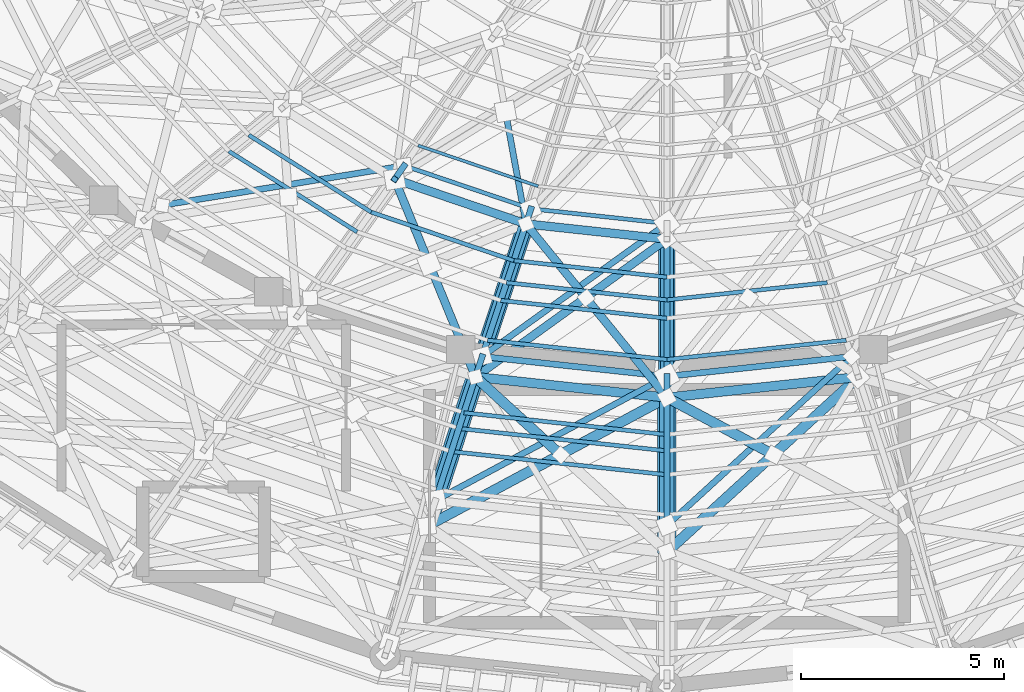
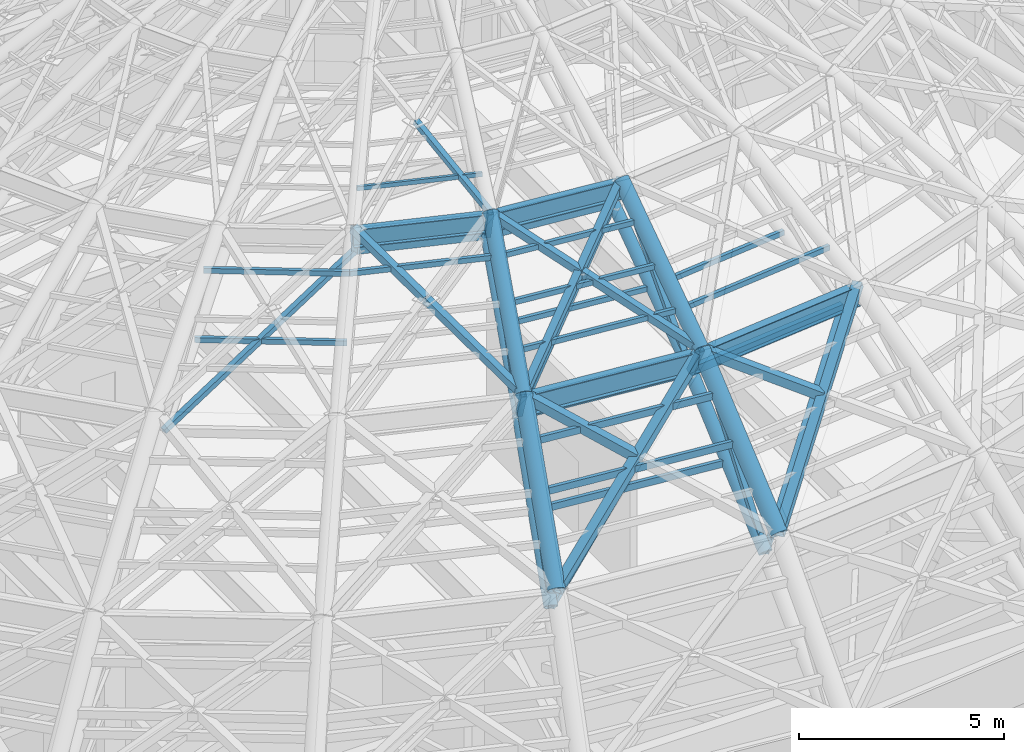
# One storey, part 4 of 50: 47 members, 4 beams.
"""IFC4 building model written with IfcOpenShell, lengths in metres."""

from ifc_helpers import new_model, si_unit, direction, frame, origin, origin_2d, place, context, subcontext, project, spatial, hollow_rectangle, hollow_circle, i_section, extrude, material, material_profile, profile_set, type_object, element, save


model = new_model("IFC4")

# Units and contexts
model_context = context("Model", 3, precision=1e-05, world=origin(), true_north=direction((0.0, 1.0)))
body_context = subcontext(model_context, "Body", "Model", "MODEL_VIEW")
ifc_project = project(units=[si_unit("LENGTHUNIT", "METRE"), si_unit("AREAUNIT", "SQUARE_METRE"), si_unit("VOLUMEUNIT", "CUBIC_METRE"), si_unit("PLANEANGLEUNIT", "RADIAN"), si_unit("MASSUNIT", "GRAM", prefix="KILO")], contexts=[model_context])

# Site, building, storey
site_placement = place(None, origin())
site = spatial("IfcSite", under=ifc_project, at=site_placement, CompositionType="ELEMENT")
building_placement = place(site_placement, origin())
building = spatial("IfcBuilding", under=site, at=building_placement, Name="Cinderbank Siding Concert Hall", CompositionType="ELEMENT")
storey_placement = place(building_placement, frame((0.0, 0.0, 23.699951171875)))
storey = spatial("IfcBuildingStorey", under=building, at=storey_placement, Name="L06", CompositionType="ELEMENT", Elevation=23.699951171875)

# Beams
ifc_material_1 = material(Name="Structural steel AS/NZS 3679.1 Grade 350 (340 MPa)", Category="steel")
ifc_material_profile_1 = material_profile(ifc_material_1, i_section(OverallWidth=0.208984375, OverallDepth=0.532958984375, WebThickness=0.01025390625, FlangeThickness=0.015625, at=origin_2d()), Name="530UB92.4", Category="LoadBearing")
ifc_profile_set_1 = profile_set([ifc_material_profile_1], Name="Structural steel AS/NZS 3679.1 Grade 350 (340 MPa)")
beam_type_1 = type_object("IfcBeamType", Name="BM-UB530H 530UB92.4", PredefinedType="BEAM", material=ifc_profile_set_1)
beam_1_placement = place(storey_placement, frame((115.300048828125, 34.4736328125, 13.733642578125), z_axis=(0.946763589156, -0.321929660406, 0.0), x_axis=(0.321929660406, 0.946763589156, 0.0)))
element("IfcBeam", 1, at=beam_1_placement, inside=storey, type_object=beam_type_1, Name="L06 Beam BM-UB530H #2086", PredefinedType="BEAM", context=body_context, shape_type="SweptSolid", body=[
    extrude(i_section(OverallWidth=0.208984375, OverallDepth=0.532958984375, WebThickness=0.01025390625, FlangeThickness=0.015625, at=origin_2d()), origin(), (0.0, 0.0, 1.0), 3.413330078125),
])
beam_2_placement = place(storey_placement, frame((118.53173828125, 33.374755859375, 13.733642578125), z_axis=(0.994212907682, -0.107427623067, 0.0), x_axis=(0.107427623067, 0.994212907682, 0.0)))
element("IfcBeam", 2, at=beam_2_placement, inside=storey, type_object=beam_type_1, Name="L06 Beam BM-UB530H #2087", PredefinedType="BEAM", context=body_context, shape_type="SweptSolid", body=[
    extrude(i_section(OverallWidth=0.208984375, OverallDepth=0.532958984375, WebThickness=0.01025390625, FlangeThickness=0.015625, at=origin_2d()), origin(), (0.0, 0.0, 1.0), 3.488525390625),
])
ifc_material_profile_2 = material_profile(ifc_material_1, i_section(OverallWidth=0.22900390625, OverallDepth=0.611572265625, WebThickness=0.011962890625, FlangeThickness=0.01953125, at=origin_2d()), Name="610UB125", Category="LoadBearing")
ifc_profile_set_2 = profile_set([ifc_material_profile_2], Name="Structural steel AS/NZS 3679.1 Grade 350 (340 MPa)")
beam_type_2 = type_object("IfcBeamType", Name="BM-UB610H 610UB125", PredefinedType="BEAM", material=ifc_profile_set_2)
for number, where, z_axis, x_axis, name in (
    (3, (117.28955078125, 29.607666015625, 10.994140625), (0.994244639744, -0.107133544419, 0.0), (0.107133544419, 0.994244639744, 0.0), "L06 Beam BM-UB610H #2067"),
    (4, (122.0, 29.10009765625, 10.994140625), (0.994244639744, 0.107133544419, 0.0), (-0.107133544419, 0.994244639744, 0.0), "L06 Beam BM-UB610H #2068"),
):
    element("IfcBeam", number, at=place(storey_placement, frame(where, z_axis=z_axis, x_axis=x_axis)), inside=storey, type_object=beam_type_2, Name=name, PredefinedType="BEAM", context=body_context, shape_type="SweptSolid", body=[
        extrude(i_section(OverallWidth=0.22900390625, OverallDepth=0.611572265625, WebThickness=0.011962890625, FlangeThickness=0.01953125, at=origin_2d()), origin(), (0.0, 0.0, 1.0), 4.73779296875),
    ])

# Members
ifc_material_2 = material(Name="Structural steel hollow section AS/NZS 1163 Grade C350L0 (350 MPa)", Category="steel")
ifc_material_profile_3 = material_profile(ifc_material_2, hollow_rectangle(XDim=0.14990234375, YDim=0.14990234375, WallThickness=0.008056640625, at=origin_2d()), Name="150x150x8.0SHS", Category="LoadBearing")
ifc_profile_set_3 = profile_set([ifc_material_profile_3], Name="Structural steel hollow section AS/NZS 1163 Grade C350L0 (350 MPa)")
member_type_1 = type_object("IfcMemberType", Name="BR-SHS150 150x150x8.0SHS Roof Truss", PredefinedType="BRACE", material=ifc_profile_set_3)
member_1_placement = place(storey_placement, frame((116.305419921875, 26.5693359375, 7.150146484375), z_axis=(0.187934294222, 0.580213915056, 0.792485024357), x_axis=(-0.951339765212, 0.30814388056, 0.0)))
element("IfcMember", 5, at=member_1_placement, inside=storey, type_object=member_type_1, Name="L06 Diagonal Brace BR-SHS150 #DWBD-BR-SHS150-L06-1022", PredefinedType="BRACE", context=body_context, shape_type="SweptSolid", body=[
    extrude(hollow_rectangle(XDim=0.14990234375, YDim=0.14990234375, WallThickness=0.008056640625, at=origin_2d()), origin(), (0.0, 0.0, 1.0), 5.236572265625),
])
member_2_placement = place(storey_placement, frame((116.305419921875, 26.5693359375, 7.150146484375), z_axis=(0.789816658408, 0.423334956631, 0.443821090751), x_axis=(-0.472411197164, 0.881378273384, 0.0)))
element("IfcMember", 6, at=member_2_placement, inside=storey, type_object=member_type_1, Name="L06 Diagonal Brace BR-SHS150 #DBRI-BR-SHS150-L06-1031", PredefinedType="BRACE", context=body_context, shape_type="SweptSolid", body=[
    extrude(hollow_rectangle(XDim=0.14990234375, YDim=0.14990234375, WallThickness=0.008056640625, at=origin_2d()), origin(), (0.0, 0.0, 1.0), 7.2099609375),
])
member_3_placement = place(storey_placement, frame((122.0, 25.95458984375, 7.150146484375), z_axis=(0.0, 0.604058062613, 0.796940309554), x_axis=(-1.0, 0.0, 0.0)))
element("IfcMember", 7, at=member_3_placement, inside=storey, type_object=member_type_1, Name="L06 Diagonal Brace BR-SHS150 #DWBD-BR-SHS150-L06-1034", PredefinedType="BRACE", context=body_context, shape_type="SweptSolid", body=[
    extrude(hollow_rectangle(XDim=0.14990234375, YDim=0.14990234375, WallThickness=0.008056640625, at=origin_2d()), origin(), (0.0, 0.0, 1.0), 5.207275390625),
])
member_4_placement = place(storey_placement, frame((122.0, 25.95458984375, 7.150146484375), z_axis=(0.654874224149, 0.598844650108, 0.461004160048), x_axis=(-0.674832113204, 0.737971286019, 0.0)))
element("IfcMember", 8, at=member_4_placement, inside=storey, type_object=member_type_1, Name="L06 Diagonal Brace BR-SHS150 #DBRI-BR-SHS150-L06-1043", PredefinedType="BRACE", context=body_context, shape_type="SweptSolid", body=[
    extrude(hollow_rectangle(XDim=0.14990234375, YDim=0.14990234375, WallThickness=0.008056640625, at=origin_2d()), origin(), (0.0, 0.0, 1.0), 6.941162109375),
])
member_5_placement = place(storey_placement, frame((109.5810546875, 33.8330078125, 10.35009765625), z_axis=(0.900772815962, 0.147389113623, 0.408515340239), x_axis=(-0.161477818497, 0.986876341865, 0.0)))
element("IfcMember", 9, at=member_5_placement, inside=storey, type_object=member_type_1, Name="L06 Diagonal Brace BR-SHS150 #DBRI-BR-SHS150-L06-1295", PredefinedType="BRACE", context=body_context, shape_type="SweptSolid", body=[
    extrude(hollow_rectangle(XDim=0.14990234375, YDim=0.14990234375, WallThickness=0.008056640625, at=origin_2d()), origin(), (0.0, 0.0, 1.0), 6.609130859375),
])
member_6_placement = place(storey_placement, frame((117.454345703125, 30.111328125, 10.35009765625), z_axis=(0.214909661332, 0.650962484257, 0.728053350762), x_axis=(-0.949588685113, 0.313498531264, 0.0)))
element("IfcMember", 10, at=member_6_placement, inside=storey, type_object=member_type_1, Name="L06 Diagonal Brace BR-SHS150 #DWBD-BR-SHS150-L06-1310", PredefinedType="BRACE", context=body_context, shape_type="SweptSolid", body=[
    extrude(hollow_rectangle(XDim=0.14990234375, YDim=0.14990234375, WallThickness=0.008056640625, at=origin_2d()), origin(), (0.0, 0.0, 1.0), 5.01318359375),
])
member_7_placement = place(storey_placement, frame((117.454345703125, 30.111328125, 10.35009765625), z_axis=(-0.151498168389, -0.463023290943, 0.873302775113), x_axis=(0.950419411775, -0.310970966044, 0.0)))
element("IfcMember", 11, at=member_7_placement, inside=storey, type_object=member_type_1, Name="L06 Diagonal Brace BR-SHS150 #DWBV-BR-SHS150-L06-1313", PredefinedType="BRACE", context=body_context, shape_type="SweptSolid", body=[
    extrude(hollow_rectangle(XDim=0.14990234375, YDim=0.14990234375, WallThickness=0.008056640625, at=origin_2d()), origin(), (0.0, 0.0, 1.0), 1.087646484375),
])
member_8_placement = place(storey_placement, frame((117.454345703125, 30.111328125, 10.35009765625), z_axis=(0.730989263172, 0.52644261399, 0.434180689694), x_axis=(-0.584400015852, 0.811465724151, 0.0)))
element("IfcMember", 12, at=member_8_placement, inside=storey, type_object=member_type_1, Name="L06 Diagonal Brace BR-SHS150 #DBRI-BR-SHS150-L06-1319", PredefinedType="BRACE", context=body_context, shape_type="SweptSolid", body=[
    extrude(hollow_rectangle(XDim=0.14990234375, YDim=0.14990234375, WallThickness=0.008056640625, at=origin_2d()), origin(), (0.0, 0.0, 1.0), 6.218505859375),
])
member_9_placement = place(storey_placement, frame((122.0, 29.62158203125, 10.35009765625), z_axis=(0.0, 0.67928664237, 0.733873052712), x_axis=(-1.0, 0.0, 0.0)))
element("IfcMember", 13, at=member_9_placement, inside=storey, type_object=member_type_1, Name="L06 Diagonal Brace BR-SHS150 #DWBD-BR-SHS150-L06-1322", PredefinedType="BRACE", context=body_context, shape_type="SweptSolid", body=[
    extrude(hollow_rectangle(XDim=0.14990234375, YDim=0.14990234375, WallThickness=0.008056640625, at=origin_2d()), origin(), (0.0, 0.0, 1.0), 4.973388671875),
])
member_10_placement = place(storey_placement, frame((122.0, 29.62158203125, 10.35009765625), z_axis=(0.0, -0.481218079889, 0.876600912382), x_axis=(1.0, 0.0, 0.0)))
element("IfcMember", 14, at=member_10_placement, inside=storey, type_object=member_type_1, Name="L06 Diagonal Brace BR-SHS150 #DWBV-BR-SHS150-L06-1325", PredefinedType="BRACE", context=body_context, shape_type="SweptSolid", body=[
    extrude(hollow_rectangle(XDim=0.14990234375, YDim=0.14990234375, WallThickness=0.008056640625, at=origin_2d()), origin(), (0.0, 0.0, 1.0), 1.083740234375),
])
member_11_placement = place(storey_placement, frame((115.534423828125, 34.80712890625, 13.050048828125), z_axis=(-0.226731640605, -0.322620230278, 0.918971680828), x_axis=(0.81816123583, -0.574988862662, 0.0)))
element("IfcMember", 15, at=member_11_placement, inside=storey, type_object=member_type_1, Name="L06 Diagonal Brace BR-SHS150 #DWBV-BR-SHS150-L06-1589", PredefinedType="BRACE", context=body_context, shape_type="SweptSolid", body=[
    extrude(hollow_rectangle(XDim=0.14990234375, YDim=0.14990234375, WallThickness=0.008056640625, at=origin_2d()), origin(), (0.0, 0.0, 1.0), 1.03369140625),
])
member_12_placement = place(storey_placement, frame((118.53173828125, 33.374755859375, 14.0), z_axis=(-0.16466124813, 0.903366499175, 0.39599954739), x_axis=(-0.983790694191, -0.179320578915, 0.0)))
element("IfcMember", 16, at=member_12_placement, inside=storey, type_object=member_type_1, Name="L06 Diagonal Brace BR-SHS150 #DBRO-BR-SHS150-L06-1594", PredefinedType="BRACE", context=body_context, shape_type="SweptSolid", body=[
    extrude(hollow_rectangle(XDim=0.14990234375, YDim=0.14990234375, WallThickness=0.008056640625, at=origin_2d()), origin(), (0.0, 0.0, 1.0), 3.064697265625),
])
member_13_placement = place(storey_placement, frame((118.6533203125, 33.74658203125, 13.050048828125), z_axis=(-0.118345506347, -0.361928124833, 0.924663383931), x_axis=(0.950477599938, -0.310793069448, 0.0)))
element("IfcMember", 17, at=member_13_placement, inside=storey, type_object=member_type_1, Name="L06 Diagonal Brace BR-SHS150 #DWBV-BR-SHS150-L06-1601", PredefinedType="BRACE", context=body_context, shape_type="SweptSolid", body=[
    extrude(hollow_rectangle(XDim=0.14990234375, YDim=0.14990234375, WallThickness=0.008056640625, at=origin_2d()), origin(), (0.0, 0.0, 1.0), 1.02734375),
])
ifc_material_profile_4 = material_profile(ifc_material_2, hollow_rectangle(XDim=0.199951171875, YDim=0.199951171875, WallThickness=0.009033203125, at=origin_2d()), Name="200x200x9.0SHS", Category="LoadBearing")
ifc_profile_set_4 = profile_set([ifc_material_profile_4], Name="Structural steel hollow section AS/NZS 1163 Grade C350L0 (350 MPa)")
member_type_2 = type_object("IfcMemberType", Name="BR-SHS200 200x200x9.0SHS Roof Truss", PredefinedType="BRACE", material=ifc_profile_set_4)
member_14_placement = place(storey_placement, frame((117.28955078125, 29.607666015625, 11.300048828125), z_axis=(-0.33665449552, 0.823365651214, 0.456872799636), x_axis=(-0.925616635391, -0.378462474082, 0.0)))
element("IfcMember", 18, at=member_14_placement, inside=storey, type_object=member_type_2, Name="L06 Diagonal Brace BR-SHS200 #DBRO-BR-SHS200-L06-1306", PredefinedType="BRACE", context=body_context, shape_type="SweptSolid", body=[
    extrude(hollow_rectangle(XDim=0.199951171875, YDim=0.199951171875, WallThickness=0.009033203125, at=origin_2d()), origin(), (0.0, 0.0, 1.0), 3.387451171875),
])
member_15_placement = place(storey_placement, frame((116.138916015625, 32.42138671875, 12.861328125), z_axis=(-0.336571996646, 0.823406345694, 0.456860242246), x_axis=(-0.925655672175, -0.378366986628, 0.0)))
element("IfcMember", 19, at=member_15_placement, inside=storey, type_object=member_type_2, Name="L06 Diagonal Brace BR-SHS200 #DBRO-BR-SHS200-L06-1306-S121", PredefinedType="BRACE", context=body_context, shape_type="SweptSolid", body=[
    extrude(hollow_rectangle(XDim=0.199951171875, YDim=0.199951171875, WallThickness=0.009033203125, at=origin_2d()), origin(), (0.0, 0.0, 1.0), 2.492431640625),
])
member_16_placement = place(storey_placement, frame((117.28955078125, 29.607666015625, 11.300048828125), z_axis=(0.735774223032, 0.529884048358, 0.421733550975), x_axis=(-0.584396682542, 0.811468124718, 0.0)))
element("IfcMember", 20, at=member_16_placement, inside=storey, type_object=member_type_2, Name="L06 Diagonal Brace BR-SHS200 #DBRO-BR-SHS200-L06-1317", PredefinedType="BRACE", context=body_context, shape_type="SweptSolid", body=[
    extrude(hollow_rectangle(XDim=0.199951171875, YDim=0.199951171875, WallThickness=0.009033203125, at=origin_2d()), origin(), (0.0, 0.0, 1.0), 6.402099609375),
])
member_17_placement = place(storey_placement, frame((122.0, 29.10009765625, 11.300048828125), z_axis=(-0.56566732929, 0.697188802611, 0.44039555639), x_axis=(-0.776549134033, -0.630056697792, 0.0)))
element("IfcMember", 21, at=member_17_placement, inside=storey, type_object=member_type_2, Name="L06 Diagonal Brace BR-SHS200 #DBRO-BR-SHS200-L06-1318", PredefinedType="BRACE", context=body_context, shape_type="SweptSolid", body=[
    extrude(hollow_rectangle(XDim=0.199951171875, YDim=0.199951171875, WallThickness=0.009033203125, at=origin_2d()), origin(), (0.0, 0.0, 1.0), 3.515869140625),
])
member_18_placement = place(storey_placement, frame((119.994140625, 31.572265625, 12.861572265625), z_axis=(-0.565667653098, 0.697216073926, 0.44035196434), x_axis=(-0.776561015388, -0.63004205366, 0.0)))
element("IfcMember", 22, at=member_18_placement, inside=storey, type_object=member_type_2, Name="L06 Diagonal Brace BR-SHS200 #DBRO-BR-SHS200-L06-1318-S122", PredefinedType="BRACE", context=body_context, shape_type="SweptSolid", body=[
    extrude(hollow_rectangle(XDim=0.199951171875, YDim=0.199951171875, WallThickness=0.009033203125, at=origin_2d()), origin(), (0.0, 0.0, 1.0), 2.585205078125),
])
ifc_material_profile_5 = material_profile(ifc_material_2, hollow_rectangle(XDim=0.25, YDim=0.25, WallThickness=0.010009765625, at=origin_2d()), Name="250x250x10.0SHS", Category="LoadBearing")
ifc_profile_set_5 = profile_set([ifc_material_profile_5], Name="Structural steel hollow section AS/NZS 1163 Grade C350L0 (350 MPa)")
member_type_3 = type_object("IfcMemberType", Name="BR-SHS250 250x250x10.0SHS Roof Truss", PredefinedType="BRACE", material=ifc_profile_set_5)
member_19_placement = place(storey_placement, frame((116.098876953125, 25.937255859375, 8.10009765625), z_axis=(0.795226599266, 0.426219874787, 0.431220679185), x_axis=(-0.472398485629, 0.88138508654, 0.0)))
element("IfcMember", 23, at=member_19_placement, inside=storey, type_object=member_type_3, Name="L06 Diagonal Brace BR-SHS250 #DBRO-BR-SHS250-L06-1029", PredefinedType="BRACE", context=body_context, shape_type="SweptSolid", body=[
    extrude(hollow_rectangle(XDim=0.25, YDim=0.25, WallThickness=0.010009765625, at=origin_2d()), origin(), (0.0, 0.0, 1.0), 7.420654296875),
])
member_20_placement = place(storey_placement, frame((119.370361328125, 27.704833984375, 9.886474609375), z_axis=(-0.659703249603, 0.603276678095, 0.448161658477), x_axis=(-0.67484195984, -0.737962281719, 0.0)))
element("IfcMember", 24, at=member_20_placement, inside=storey, type_object=member_type_3, Name="L06 Diagonal Brace BR-SHS250 #DBRO-BR-SHS250-L06-1030-S98", PredefinedType="BRACE", context=body_context, shape_type="SweptSolid", body=[
    extrude(hollow_rectangle(XDim=0.25, YDim=0.25, WallThickness=0.010009765625, at=origin_2d()), origin(), (0.0, 0.0, 1.0), 3.154052734375),
])
member_21_placement = place(storey_placement, frame((122.0, 25.300048828125, 8.10009765625), z_axis=(0.659700996758, 0.603284149829, 0.448154916788), x_axis=(-0.674847766541, 0.737956971642, 0.0)))
element("IfcMember", 25, at=member_21_placement, inside=storey, type_object=member_type_3, Name="L06 Diagonal Brace BR-SHS250 #DBRO-BR-SHS250-L06-1041", PredefinedType="BRACE", context=body_context, shape_type="SweptSolid", body=[
    extrude(hollow_rectangle(XDim=0.25, YDim=0.25, WallThickness=0.010009765625, at=origin_2d()), origin(), (0.0, 0.0, 1.0), 7.140380859375),
])
member_22_placement = place(storey_placement, frame((124.60791015625, 27.702392578125, 9.885986328125), z_axis=(-0.795244346692, 0.426209875006, 0.431197833368), x_axis=(-0.472381685865, -0.881394090552, 0.0)))
element("IfcMember", 26, at=member_22_placement, inside=storey, type_object=member_type_3, Name="L06 Diagonal Brace BR-SHS250 #DBRO-BR-SHS250-L06-1042-S99", PredefinedType="BRACE", context=body_context, shape_type="SweptSolid", body=[
    extrude(hollow_rectangle(XDim=0.25, YDim=0.25, WallThickness=0.010009765625, at=origin_2d()), origin(), (0.0, 0.0, 1.0), 3.279296875),
])
ifc_material_profile_6 = material_profile(ifc_material_2, hollow_circle(Radius=0.161865234375, WallThickness=0.0126953125, at=origin_2d()), Name="323.9x12.7CHS", Category="LoadBearing")
ifc_profile_set_6 = profile_set([ifc_material_profile_6], Name="Structural steel hollow section AS/NZS 1163 Grade C350L0 (350 MPa)")
member_type_4 = type_object("IfcMemberType", Name="DR-CHS323 323.9x12.7CHS Roof Truss", PredefinedType="RAFTER", material=ifc_profile_set_6)
member_23_placement = place(storey_placement, frame((117.454345703125, 30.111328125, 10.35009765625), z_axis=(0.255957843649, 0.776056259813, 0.576387251663), x_axis=(-0.949679883336, 0.313222156284, 0.0)))
element("IfcMember", 27, at=member_23_placement, inside=storey, type_object=member_type_4, Name="L06 Roof Truss Member DR-CHS323 #1309", PredefinedType="RAFTER", context=body_context, shape_type="SweptSolid", body=[
    extrude(hollow_circle(Radius=0.161865234375, WallThickness=0.0126953125, at=origin_2d()), origin(), (0.0, 0.0, 1.0), 4.684326171875),
])
member_24_placement = place(storey_placement, frame((122.0, 29.62158203125, 10.35009765625), z_axis=(0.0, 0.812527938707, 0.582922249378), x_axis=(-1.0, 0.0, 0.0)))
element("IfcMember", 28, at=member_24_placement, inside=storey, type_object=member_type_4, Name="L06 Roof Truss Member DR-CHS323 #1321", PredefinedType="RAFTER", context=body_context, shape_type="SweptSolid", body=[
    extrude(hollow_circle(Radius=0.161865234375, WallThickness=0.0126953125, at=origin_2d()), origin(), (0.0, 0.0, 1.0), 4.6318359375),
])
ifc_material_profile_7 = material_profile(ifc_material_2, hollow_circle(Radius=0.177734375, WallThickness=0.0126953125, at=origin_2d()), Name="355.6x12.7CHS", Category="LoadBearing")
ifc_profile_set_7 = profile_set([ifc_material_profile_7], Name="Structural steel hollow section AS/NZS 1163 Grade C350L0 (350 MPa)")
member_type_5 = type_object("IfcMemberType", Name="DR-CHS355 355.6x12.7CHS Roof Truss", PredefinedType="RAFTER", material=ifc_profile_set_7)
member_25_placement = place(storey_placement, frame((116.305419921875, 26.5693359375, 7.150146484375), z_axis=(0.234010079383, 0.72142333865, 0.651757354541), x_axis=(-0.951209297801, 0.308546385129, 0.0)))
element("IfcMember", 29, at=member_25_placement, inside=storey, type_object=member_type_5, Name="L06 Roof Truss Member DR-CHS355 #1021", PredefinedType="RAFTER", context=body_context, shape_type="SweptSolid", body=[
    extrude(hollow_circle(Radius=0.177734375, WallThickness=0.0126953125, at=origin_2d()), origin(), (0.0, 0.0, 1.0), 4.90966796875),
])
member_26_placement = place(storey_placement, frame((122.0, 25.95458984375, 7.150146484375), z_axis=(0.0, 0.753458544555, 0.657495415678), x_axis=(-1.0, 0.0, 0.0)))
element("IfcMember", 30, at=member_26_placement, inside=storey, type_object=member_type_5, Name="L06 Roof Truss Member DR-CHS355 #1033", PredefinedType="RAFTER", context=body_context, shape_type="SweptSolid", body=[
    extrude(hollow_circle(Radius=0.177734375, WallThickness=0.0126953125, at=origin_2d()), origin(), (0.0, 0.0, 1.0), 4.866943359375),
])
ifc_material_profile_8 = material_profile(ifc_material_2, hollow_circle(Radius=0.203125, WallThickness=0.01611328125, at=origin_2d()), Name="406.4x16.0CHS", Category="LoadBearing")
ifc_profile_set_8 = profile_set([ifc_material_profile_8], Name="Structural steel hollow section AS/NZS 1163 Grade C350L0 (350 MPa)")
member_type_6 = type_object("IfcMemberType", Name="DR-CHS406 406.4x16.0CHS Roof Truss", PredefinedType="RAFTER", material=ifc_profile_set_8)
member_27_placement = place(storey_placement, frame((117.28955078125, 29.607666015625, 11.300048828125), z_axis=(0.258880473297, 0.785087598854, 0.562688513009), x_axis=(-0.949700058716, 0.313160978532, 0.0)))
element("IfcMember", 31, at=member_27_placement, inside=storey, type_object=member_type_6, Name="L06 Roof Truss Member DR-CHS406 #1308", PredefinedType="RAFTER", context=body_context, shape_type="SweptSolid", body=[
    extrude(hollow_circle(Radius=0.203125, WallThickness=0.01611328125, at=origin_2d()), origin(), (0.0, 0.0, 1.0), 4.79833984375),
])
member_28_placement = place(storey_placement, frame((122.0, 29.10009765625, 11.300048828125), z_axis=(0.0, 0.8221903387, 0.569212655295), x_axis=(-1.0, 0.0, 0.0)))
element("IfcMember", 32, at=member_28_placement, inside=storey, type_object=member_type_6, Name="L06 Roof Truss Member DR-CHS406 #1320", PredefinedType="RAFTER", context=body_context, shape_type="SweptSolid", body=[
    extrude(hollow_circle(Radius=0.203125, WallThickness=0.01611328125, at=origin_2d()), origin(), (0.0, 0.0, 1.0), 4.743408203125),
])
ifc_material_profile_9 = material_profile(ifc_material_2, hollow_circle(Radius=0.228515625, WallThickness=0.01611328125, at=origin_2d()), Name="457.0x16.0CHS", Category="LoadBearing")
ifc_profile_set_9 = profile_set([ifc_material_profile_9], Name="Structural steel hollow section AS/NZS 1163 Grade C350L0 (350 MPa)")
member_type_7 = type_object("IfcMemberType", Name="DR-CHS457 457.0x16.0CHS Roof Truss", PredefinedType="RAFTER", material=ifc_profile_set_9)
member_29_placement = place(storey_placement, frame((116.098876953125, 25.937255859375, 8.10009765625), z_axis=(0.237521316365, 0.73219099246, 0.638341581626), x_axis=(-0.951202242561, 0.308568134693, 0.0)))
element("IfcMember", 33, at=member_29_placement, inside=storey, type_object=member_type_7, Name="L06 Roof Truss Member DR-CHS457 #1020", PredefinedType="RAFTER", context=body_context, shape_type="SweptSolid", body=[
    extrude(hollow_circle(Radius=0.228515625, WallThickness=0.01611328125, at=origin_2d()), origin(), (0.0, 0.0, 1.0), 5.012939453125),
])
member_30_placement = place(storey_placement, frame((122.0, 25.300048828125, 8.10009765625), z_axis=(0.0, 0.764920118762, 0.644125152368), x_axis=(-1.0, 0.0, 0.0)))
element("IfcMember", 34, at=member_30_placement, inside=storey, type_object=member_type_7, Name="L06 Roof Truss Member DR-CHS457 #1032", PredefinedType="RAFTER", context=body_context, shape_type="SweptSolid", body=[
    extrude(hollow_circle(Radius=0.228515625, WallThickness=0.01611328125, at=origin_2d()), origin(), (0.0, 0.0, 1.0), 4.968017578125),
])
ifc_material_profile_10 = material_profile(ifc_material_2, hollow_rectangle(XDim=0.074951171875, YDim=0.125, WallThickness=0.0048828125, at=origin_2d()), Name="125x75x5.0RHS", Category="LoadBearing")
ifc_profile_set_10 = profile_set([ifc_material_profile_10], Name="Structural steel hollow section AS/NZS 1163 Grade C350L0 (350 MPa)")
member_type_8 = type_object("IfcMemberType", Name="PR-RHS125 125x75x5.0RHS Roof Truss", PredefinedType="PURLIN", material=ifc_profile_set_10)
member_31_placement = place(storey_placement, frame((115.8759765625, 35.30517578125, 14.47998046875), z_axis=(0.946891929051, -0.321551978221, 0.0), x_axis=(0.321551978221, 0.946891929051, 0.0)))
element("IfcMember", 35, at=member_31_placement, inside=storey, type_object=member_type_8, Name="L06 Roof Truss Member PR-RHS125 #1590", PredefinedType="PURLIN", context=body_context, shape_type="SweptSolid", body=[
    extrude(hollow_rectangle(XDim=0.074951171875, YDim=0.125, WallThickness=0.0048828125, at=origin_2d()), origin(), (0.0, 0.0, 1.0), 3.119873046875),
])
ifc_material_profile_11 = material_profile(ifc_material_2, hollow_rectangle(XDim=0.10009765625, YDim=0.14990234375, WallThickness=0.006103515625, at=origin_2d()), Name="150x100x6.0RHS", Category="LoadBearing")
ifc_profile_set_11 = profile_set([ifc_material_profile_11], Name="Structural steel hollow section AS/NZS 1163 Grade C350L0 (350 MPa)")
member_type_9 = type_object("IfcMemberType", Name="PR-RHS150 150x100x6.0RHS Roof Truss", PredefinedType="PURLIN", material=ifc_profile_set_11)
member_32_placement = place(storey_placement, frame((111.21875, 35.16357421875, 11.699951171875), z_axis=(0.84648739404, -0.532408763763, 0.0), x_axis=(0.532408763763, 0.84648739404, 0.0)))
element("IfcMember", 36, at=member_32_placement, inside=storey, type_object=member_type_9, Name="L06 Roof Truss Member PR-RHS150 #1288", PredefinedType="PURLIN", context=body_context, shape_type="SweptSolid", body=[
    extrude(hollow_rectangle(XDim=0.10009765625, YDim=0.14990234375, WallThickness=0.006103515625, at=origin_2d()), origin(), (0.0, 0.0, 1.0), 3.73046875),
])
member_33_placement = place(storey_placement, frame((111.710205078125, 35.56005859375, 13.35205078125), z_axis=(0.846318691941, -0.532676892376, 0.0), x_axis=(0.532676892376, 0.846318691941, 0.0)))
element("IfcMember", 37, at=member_33_placement, inside=storey, type_object=member_type_9, Name="L06 Roof Truss Member PR-RHS150 #1292", PredefinedType="PURLIN", context=body_context, shape_type="SweptSolid", body=[
    extrude(hollow_rectangle(XDim=0.10009765625, YDim=0.14990234375, WallThickness=0.006103515625, at=origin_2d()), origin(), (0.0, 0.0, 1.0), 3.561279296875),
])
member_34_placement = place(storey_placement, frame((114.72412109375, 33.6630859375, 13.35205078125), z_axis=(0.946842982336, -0.321696078312, 0.0), x_axis=(0.321696078312, 0.946842982336, 0.0)))
element("IfcMember", 38, at=member_34_placement, inside=storey, type_object=member_type_9, Name="L06 Roof Truss Member PR-RHS150 #1304", PredefinedType="PURLIN", context=body_context, shape_type="SweptSolid", body=[
    extrude(hollow_rectangle(XDim=0.10009765625, YDim=0.14990234375, WallThickness=0.006103515625, at=origin_2d()), origin(), (0.0, 0.0, 1.0), 3.70654296875),
])
member_35_placement = place(storey_placement, frame((118.0537109375, 31.928955078125, 11.699951171875), z_axis=(0.994236321887, -0.107210709543, 0.0), x_axis=(0.107210709543, 0.994236321887, 0.0)))
element("IfcMember", 39, at=member_35_placement, inside=storey, type_object=member_type_9, Name="L06 Roof Truss Member PR-RHS150 #1312", PredefinedType="PURLIN", context=body_context, shape_type="SweptSolid", body=[
    extrude(hollow_rectangle(XDim=0.10009765625, YDim=0.14990234375, WallThickness=0.006103515625, at=origin_2d()), origin(), (0.0, 0.0, 1.0), 3.96923828125),
])
member_36_placement = place(storey_placement, frame((117.587646484375, 30.51171875, 11.947998046875), z_axis=(0.994235452281, -0.107218773668, 0.0), x_axis=(0.107218773668, 0.994235452281, 0.0)))
element("IfcMember", 40, at=member_36_placement, inside=storey, type_object=member_type_9, Name="L06 Roof Truss Member PR-RHS150 #1314", PredefinedType="PURLIN", context=body_context, shape_type="SweptSolid", body=[
    extrude(hollow_rectangle(XDim=0.10009765625, YDim=0.14990234375, WallThickness=0.006103515625, at=origin_2d()), origin(), (0.0, 0.0, 1.0), 4.43798828125),
])
member_37_placement = place(storey_placement, frame((117.91064453125, 31.4912109375, 12.650146484375), z_axis=(0.99423119383, -0.107258254761, 0.0), x_axis=(0.107258254761, 0.99423119383, 0.0)))
element("IfcMember", 41, at=member_37_placement, inside=storey, type_object=member_type_9, Name="L06 Roof Truss Member PR-RHS150 #1315", PredefinedType="PURLIN", context=body_context, shape_type="SweptSolid", body=[
    extrude(hollow_rectangle(XDim=0.10009765625, YDim=0.14990234375, WallThickness=0.006103515625, at=origin_2d()), origin(), (0.0, 0.0, 1.0), 4.113037109375),
])
member_38_placement = place(storey_placement, frame((118.233642578125, 32.470703125, 13.35205078125), z_axis=(0.994219325498, -0.107368211336, 0.0), x_axis=(0.107368211336, 0.994219325498, 0.0)))
element("IfcMember", 42, at=member_38_placement, inside=storey, type_object=member_type_9, Name="L06 Roof Truss Member PR-RHS150 #1316", PredefinedType="PURLIN", context=body_context, shape_type="SweptSolid", body=[
    extrude(hollow_rectangle(XDim=0.10009765625, YDim=0.14990234375, WallThickness=0.006103515625, at=origin_2d()), origin(), (0.0, 0.0, 1.0), 3.788330078125),
])
member_39_placement = place(storey_placement, frame((122.0, 31.50341796875, 11.699951171875), z_axis=(0.994236321887, 0.107210709543, 0.0), x_axis=(-0.107210709543, 0.994236321887, 0.0)))
element("IfcMember", 43, at=member_39_placement, inside=storey, type_object=member_type_9, Name="L06 Roof Truss Member PR-RHS150 #1324", PredefinedType="PURLIN", context=body_context, shape_type="SweptSolid", body=[
    extrude(hollow_rectangle(XDim=0.10009765625, YDim=0.14990234375, WallThickness=0.006103515625, at=origin_2d()), origin(), (0.0, 0.0, 1.0), 3.96923828125),
])
member_40_placement = place(storey_placement, frame((122.0, 30.035888671875, 11.947998046875), z_axis=(0.994235452281, 0.107218773668, 0.0), x_axis=(-0.107218773668, 0.994235452281, 0.0)))
element("IfcMember", 44, at=member_40_placement, inside=storey, type_object=member_type_9, Name="L06 Roof Truss Member PR-RHS150 #1326", PredefinedType="PURLIN", context=body_context, shape_type="SweptSolid", body=[
    extrude(hollow_rectangle(XDim=0.10009765625, YDim=0.14990234375, WallThickness=0.006103515625, at=origin_2d()), origin(), (0.0, 0.0, 1.0), 4.43798828125),
])
ifc_material_profile_12 = material_profile(ifc_material_2, hollow_rectangle(XDim=0.10009765625, YDim=0.199951171875, WallThickness=0.008056640625, at=origin_2d()), Name="200x100x8.0RHS", Category="LoadBearing")
ifc_profile_set_12 = profile_set([ifc_material_profile_12], Name="Structural steel hollow section AS/NZS 1163 Grade C350L0 (350 MPa)")
member_type_10 = type_object("IfcMemberType", Name="PR-RHS200 200x100x8.0RHS Roof Truss", PredefinedType="PURLIN", material=ifc_profile_set_12)
member_41_placement = place(storey_placement, frame((116.8798828125, 28.34033203125, 8.75), z_axis=(0.994233579191, -0.107236141338, 0.0), x_axis=(0.107236141338, 0.994233579191, 0.0)))
element("IfcMember", 45, at=member_41_placement, inside=storey, type_object=member_type_10, Name="L06 Roof Truss Member PR-RHS200 #1024", PredefinedType="PURLIN", context=body_context, shape_type="SweptSolid", body=[
    extrude(hollow_rectangle(XDim=0.10009765625, YDim=0.199951171875, WallThickness=0.008056640625, at=origin_2d()), origin(), (0.0, 0.0, 1.0), 5.14990234375),
])
member_42_placement = place(storey_placement, frame((116.694091796875, 27.7724609375, 9.699951171875), z_axis=(0.994229091086, -0.107277744379, 0.0), x_axis=(0.107277744379, 0.994229091086, 0.0)))
element("IfcMember", 46, at=member_42_placement, inside=storey, type_object=member_type_10, Name="L06 Roof Truss Member PR-RHS200 #1027", PredefinedType="PURLIN", context=body_context, shape_type="SweptSolid", body=[
    extrude(hollow_rectangle(XDim=0.10009765625, YDim=0.199951171875, WallThickness=0.008056640625, at=origin_2d()), origin(), (0.0, 0.0, 1.0), 5.336669921875),
])
member_43_placement = place(storey_placement, frame((117.00390625, 28.726806640625, 10.531982421875), z_axis=(0.994234657027, -0.107226147775, 0.0), x_axis=(0.107226147775, 0.994234657027, 0.0)))
element("IfcMember", 47, at=member_43_placement, inside=storey, type_object=member_type_10, Name="L06 Roof Truss Member PR-RHS200 #1028", PredefinedType="PURLIN", context=body_context, shape_type="SweptSolid", body=[
    extrude(hollow_rectangle(XDim=0.10009765625, YDim=0.199951171875, WallThickness=0.008056640625, at=origin_2d()), origin(), (0.0, 0.0, 1.0), 5.025146484375),
])
member_44_placement = place(storey_placement, frame((115.534423828125, 34.80712890625, 13.050048828125), z_axis=(0.946761450958, -0.321935948568, 0.0), x_axis=(0.321935948568, 0.946761450958, 0.0)))
element("IfcMember", 48, at=member_44_placement, inside=storey, type_object=member_type_10, Name="L06 Roof Truss Member PR-RHS200 #1299", PredefinedType="PURLIN", context=body_context, shape_type="SweptSolid", body=[
    extrude(hollow_rectangle(XDim=0.10009765625, YDim=0.199951171875, WallThickness=0.008056640625, at=origin_2d()), origin(), (0.0, 0.0, 1.0), 3.294189453125),
])
member_45_placement = place(storey_placement, frame((118.6533203125, 33.74658203125, 13.050048828125), z_axis=(0.994214376607, -0.107414027703, 0.0), x_axis=(0.107414027703, 0.994214376607, 0.0)))
element("IfcMember", 49, at=member_45_placement, inside=storey, type_object=member_type_10, Name="L06 Roof Truss Member PR-RHS200 #1311", PredefinedType="PURLIN", context=body_context, shape_type="SweptSolid", body=[
    extrude(hollow_rectangle(XDim=0.10009765625, YDim=0.199951171875, WallThickness=0.008056640625, at=origin_2d()), origin(), (0.0, 0.0, 1.0), 3.3662109375),
])
ifc_material_profile_13 = material_profile(ifc_material_2, hollow_rectangle(XDim=0.14990234375, YDim=0.25, WallThickness=0.009033203125, at=origin_2d()), Name="250x150x9.0RHS", Category="LoadBearing")
ifc_profile_set_13 = profile_set([ifc_material_profile_13], Name="Structural steel hollow section AS/NZS 1163 Grade C350L0 (350 MPa)")
member_type_11 = type_object("IfcMemberType", Name="PR-RHS250 250x150x9.0RHS Roof Truss", PredefinedType="PURLIN", material=ifc_profile_set_13)
for number, where, z_axis, x_axis, name in (
    (50, (117.454345703125, 30.111328125, 10.35009765625), (0.994246154055, -0.107119490039, 0.0), (0.107119490039, 0.994246154055, 0.0), "L06 Roof Truss Member PR-RHS250 #1023"),
    (51, (122.0, 29.62158203125, 10.35009765625), (0.994246154055, 0.107119490039, 0.0), (-0.107119490039, 0.994246154055, 0.0), "L06 Roof Truss Member PR-RHS250 #1035"),
):
    element("IfcMember", number, at=place(storey_placement, frame(where, z_axis=z_axis, x_axis=x_axis)), inside=storey, type_object=member_type_11, Name=name, PredefinedType="PURLIN", context=body_context, shape_type="SweptSolid", body=[
        extrude(hollow_rectangle(XDim=0.14990234375, YDim=0.25, WallThickness=0.009033203125, at=origin_2d()), origin(), (0.0, 0.0, 1.0), 4.572021484375),
    ])

save(model, "model.ifc")
